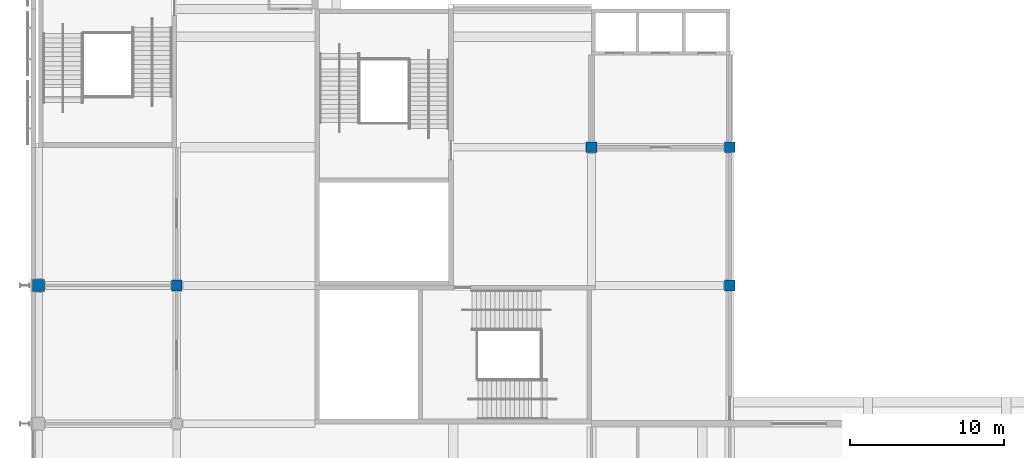
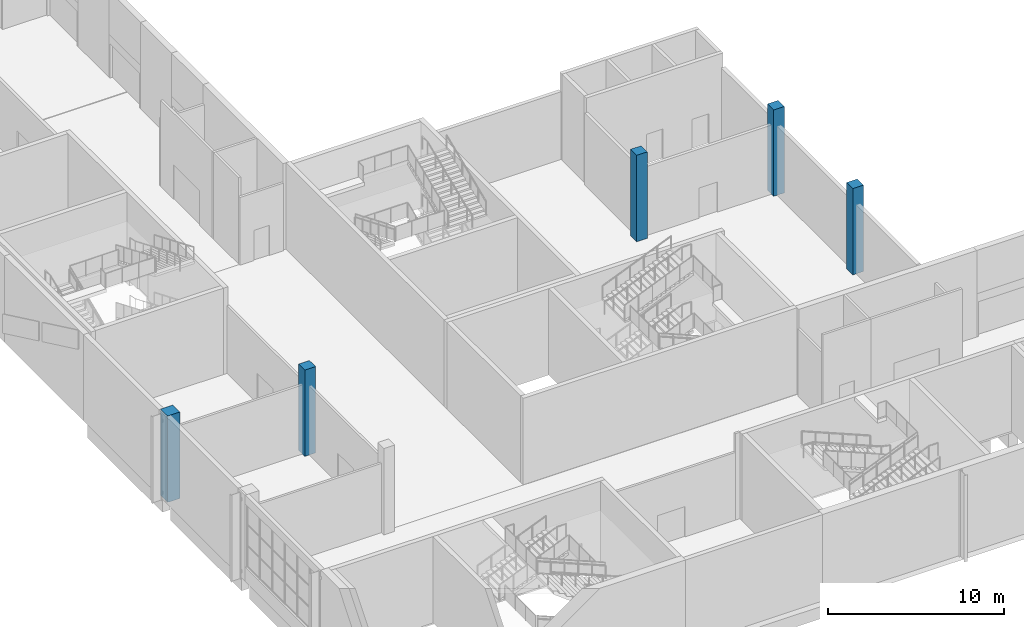
# One storey, part 3 of 89: 5 columns.
"""IFC4 building model written with IfcOpenShell, lengths in metres."""

import ifcopenshell
import ifcopenshell.guid

model = None  # the IFC model being written
_history = None  # IfcOwnerHistory: only IFC2X3 demands one
_inside = {}  # id of a spatial element -> (the spatial element, [elements in it])
_under = {}  # id of a project, library or spatial element -> (it, [spatial elements below it])
_declared = {}  # id of a project -> (the project, [libraries it declares])
_typed = {}  # id of a type object -> (the type object, [elements of that type])
_made_of = {}  # id of a material, layer set ... -> (it, [elements and type objects made of it])


def new_model(schema):
    """Start an empty IFC model of exactly this schema.

    Asked for "IFC4X3", IfcOpenShell would pick the latest addendum, in which some entities
    have other attributes; the version numbers below select the first issue.
    IFC2X3 requires an IfcOwnerHistory on every rooted entity: one is made here for all.
    """
    global model, _history
    if schema == "IFC4X3":
        model = ifcopenshell.file(schema_version=(4, 3, 0, 0))
    else:
        model = ifcopenshell.file(schema=schema)
    _inside.clear()
    _under.clear()
    _declared.clear()
    _typed.clear()
    _made_of.clear()
    _history = None
    if model.schema == "IFC2X3":
        org = make("IfcOrganization", Name="unknown")
        user = make(
            "IfcPersonAndOrganization",
            ThePerson=make("IfcPerson", FamilyName="unknown"),
            TheOrganization=org,
        )
        app = make(
            "IfcApplication",
            ApplicationDeveloper=org,
            Version="unknown",
            ApplicationFullName="unknown",
            ApplicationIdentifier="unknown",
        )
        _history = make(
            "IfcOwnerHistory",
            OwningUser=user,
            OwningApplication=app,
            ChangeAction="ADDED",
            CreationDate=0,
        )
    return model


def make(cls, **values):
    """One entity of the class cls with the attributes given. An attribute that is None is left unset."""
    return model.create_entity(
        cls, **{name: value for name, value in values.items() if value is not None}
    )


def rooted(cls, **values):
    """An entity with a GlobalId (a new one), such as an element, a storey or a relation."""
    return make(cls, GlobalId=ifcopenshell.guid.new(), OwnerHistory=_history, **values)


def si_unit(unit_type, name, prefix=None):
    """IfcSIUnit, for example si_unit("LENGTHUNIT", "METRE", prefix="MILLI")."""
    return make("IfcSIUnit", UnitType=unit_type, Prefix=prefix, Name=name)


def assignment(units):
    """IfcUnitAssignment: the units of a project."""
    return None if units is None else make("IfcUnitAssignment", Units=units)


def point(xyz):
    """IfcCartesianPoint."""
    return None if xyz is None else make("IfcCartesianPoint", Coordinates=xyz)


def direction(xyz):
    """IfcDirection."""
    return None if xyz is None else make("IfcDirection", DirectionRatios=xyz)


def frame(location, z_axis=None, x_axis=None):
    """IfcAxis2Placement3D, a coordinate frame: its origin and axes. An axis left out is left unset."""
    return make(
        "IfcAxis2Placement3D",
        Location=point(location),
        Axis=direction(z_axis),
        RefDirection=direction(x_axis),
    )


def frame_2d(location, x_axis=None):
    """IfcAxis2Placement2D, a coordinate frame in the plane: its origin and x axis."""
    return make(
        "IfcAxis2Placement2D", Location=point(location), RefDirection=direction(x_axis)
    )


def origin():
    """The frame at (0, 0, 0) with its axes left unset."""
    return frame((0.0, 0.0, 0.0))


def origin_2d():
    """The frame at (0, 0) in the plane with its x axis left unset."""
    return frame_2d((0.0, 0.0))


def place(relative_to, where):
    """IfcLocalPlacement: puts the frame where relative to a parent placement (None: the world)."""
    return make(
        "IfcLocalPlacement", PlacementRelTo=relative_to, RelativePlacement=where
    )


def context(
    kind, dimensions, precision=None, world=None, true_north=None, identifier=None
):
    """IfcGeometricRepresentationContext, for example the 3D "Model" context."""
    return make(
        "IfcGeometricRepresentationContext",
        ContextIdentifier=identifier,
        ContextType=kind,
        CoordinateSpaceDimension=dimensions,
        Precision=precision,
        WorldCoordinateSystem=world,
        TrueNorth=true_north,
    )


def subcontext(parent, identifier, kind, view, scale=None):
    """IfcGeometricRepresentationSubContext, for example "Body" below "Model"."""
    return make(
        "IfcGeometricRepresentationSubContext",
        ContextIdentifier=identifier,
        ContextType=kind,
        ParentContext=parent,
        TargetScale=scale,
        TargetView=view,
    )


def project(units=None, contexts=None):
    """IfcProject with its units and contexts."""
    return rooted(
        "IfcProject",
        Name="project",
        RepresentationContexts=contexts,
        UnitsInContext=assignment(units),
    )


def spatial(cls, under=None, at=None, **own):
    """A site, building, storey or space (cls), placed at a placement, below another one or the project."""
    s = rooted(cls, ObjectPlacement=at, **own)
    if under is not None:
        _under.setdefault(under.id(), (under, []))[1].append(s)
    return s


def profile(cls, at=None, kind="AREA", **sizes):
    """A parametric profile (cls). Its sizes go by their IFC names, for example OverallWidth=200.0."""
    return make(cls, ProfileType=kind, Position=at, **sizes)


def rectangle(**sizes):
    """IfcRectangleProfileDef."""
    return profile("IfcRectangleProfileDef", **sizes)


def extrude(swept, where, along, depth):
    """IfcExtrudedAreaSolid: the profile swept, set in the frame where, extruded along a direction by depth."""
    return make(
        "IfcExtrudedAreaSolid",
        SweptArea=swept,
        Position=where,
        ExtrudedDirection=direction(along),
        Depth=depth,
    )


def shape(context_of_items, identifier, shape_type, items):
    """IfcShapeRepresentation: the items that make up one representation, for example the "Body"."""
    return make(
        "IfcShapeRepresentation",
        ContextOfItems=context_of_items,
        RepresentationIdentifier=identifier,
        RepresentationType=shape_type,
        Items=items,
    )


def material(Name=None, Category=None):
    """IfcMaterial."""
    return make("IfcMaterial", Name=Name, Category=Category)


def material_profile(
    of_material, cross_section, Name=None, Category=None, Priority=None
):
    """IfcMaterialProfile: a cross section and its material."""
    return make(
        "IfcMaterialProfile",
        Name=Name,
        Material=of_material,
        Profile=cross_section,
        Priority=Priority,
        Category=Category,
    )


def profile_set(profiles, Name=None, composite=None):
    """IfcMaterialProfileSet."""
    return make(
        "IfcMaterialProfileSet",
        Name=Name,
        MaterialProfiles=profiles,
        CompositeProfile=composite,
    )


def made_of(thing, what):
    """Note that an element or type object is made of a material, layer set ...; save() writes the relation."""
    if what is not None:
        _made_of.setdefault(what.id(), (what, []))[1].append(thing)
    return thing


def type_object(cls, material=None, **own):
    """A type object (cls), such as IfcWallType, which elements share."""
    return made_of(rooted(cls, **own), material)


def element(
    cls,
    number,
    at=None,
    inside=None,
    cuts=None,
    type_object=None,
    material=None,
    context=None,
    identifier="Body",
    shape_type=None,
    held_by="IfcProductDefinitionShape",
    body=None,
    shapes=None,
    **own,
):
    """One element of the class cls, such as IfcWall. Its Tag is "e" and its number.

    at: its placement. inside: the storey or other place that contains it. cuts: it is an
    opening in that element (IfcRelVoidsElement). A single representation is given by context,
    identifier, shape_type and body (its items); several are given by shapes. held_by: the class
    of the entity that holds the representations. save() writes the other relations.
    """
    e = rooted(cls, Tag="e%d" % number, ObjectPlacement=at, **own)
    if body is not None:
        shapes = [shape(context, identifier, shape_type, body)]
    if shapes is not None:
        e.Representation = make(held_by, Representations=shapes)
    if inside is not None:
        _inside.setdefault(inside.id(), (inside, []))[1].append(e)
    if cuts is not None:
        rooted(
            "IfcRelVoidsElement", RelatingBuildingElement=cuts, RelatedOpeningElement=e
        )
    if type_object is not None:
        _typed.setdefault(type_object.id(), (type_object, []))[1].append(e)
    return made_of(e, material)


def aggregate(whole, parts):
    """IfcRelAggregates: a whole, such as a stair, and the parts it consists of."""
    return rooted("IfcRelAggregates", RelatingObject=whole, RelatedObjects=parts)


def save(model, path):
    """Write the relations noted so far, then the file.

    IfcRelAggregates (storeys below a building ...), IfcRelContainedInSpatialStructure (elements
    in a storey), IfcRelDefinesByType, IfcRelAssociatesMaterial and IfcRelDeclares: one each for
    every whole, place, type object, material and project.
    """
    for whole, parts in _under.values():
        aggregate(whole, parts)
    for where, things in _inside.values():
        rooted(
            "IfcRelContainedInSpatialStructure",
            RelatedElements=things,
            RelatingStructure=where,
        )
    for kind, things in _typed.values():
        rooted("IfcRelDefinesByType", RelatedObjects=things, RelatingType=kind)
    for what, things in _made_of.values():
        rooted("IfcRelAssociatesMaterial", RelatedObjects=things, RelatingMaterial=what)
    for by, libraries in _declared.values():
        rooted("IfcRelDeclares", RelatingContext=by, RelatedDefinitions=libraries)
    model.write(path)


model = new_model("IFC4")

# Units and contexts
model_context = context("Model", 3, precision=1e-05, world=origin(), true_north=direction((0.0, 1.0)))
body_context = subcontext(model_context, "Body", "Model", "MODEL_VIEW")
ifc_project = project(units=[si_unit("LENGTHUNIT", "METRE"), si_unit("AREAUNIT", "SQUARE_METRE"), si_unit("VOLUMEUNIT", "CUBIC_METRE"), si_unit("PLANEANGLEUNIT", "RADIAN"), si_unit("MASSUNIT", "GRAM", prefix="KILO")], contexts=[model_context])

# Site, building, storey
site_placement = place(None, origin())
site = spatial("IfcSite", under=ifc_project, at=site_placement, CompositionType="ELEMENT")
building_placement = place(site_placement, origin())
building = spatial("IfcBuilding", under=site, at=building_placement, Name="Silverbay Arena", CompositionType="ELEMENT")
storey_placement = place(building_placement, frame((0.0, 0.0, 22.0)))
storey = spatial("IfcBuildingStorey", under=building, at=storey_placement, Name="L03", CompositionType="ELEMENT", Elevation=22.0)

# Columns
ifc_material_1 = material(Name="Concrete Grade C45", Category="concrete")
ifc_material_profile_1 = material_profile(ifc_material_1, rectangle(XDim=0.699951171875, YDim=0.699951171875, at=origin_2d()), Name="RC 700x700")
ifc_profile_set_1 = profile_set([ifc_material_profile_1], Name="Concrete Grade C45")
column_type_1 = type_object("IfcColumnType", Name="RC column 700x700", PredefinedType="COLUMN", material=ifc_profile_set_1)
for number, where, z_axis, x_axis, name in (
    (1, (63.0, 45.0, 0.0), (0.0, 0.0, 1.0), (1.0, 0.0, 0.0), "Column 8/F L03"),
    (2, (90.0, 54.0, 0.0), (0.0, 0.0, 1.0), (1.0, 0.0, 0.0), "Column 11/G L03"),
    (3, (99.0, 45.0, 0.0), (0.0, 0.0, 1.0), (1.0, 0.0, 0.0), "Column 12/F L03"),
    (4, (99.0, 54.0, 0.0), (0.0, 0.0, 1.0), (1.0, 0.0, 0.0), "Column 12/G L03"),
):
    element("IfcColumn", number, at=place(storey_placement, frame(where, z_axis=z_axis, x_axis=x_axis)), inside=storey, type_object=column_type_1, Name=name, PredefinedType="COLUMN", context=body_context, shape_type="SweptSolid", body=[
        extrude(rectangle(XDim=0.699951171875, YDim=0.699951171875, at=origin_2d()), origin(), (0.0, 0.0, 1.0), 6.0),
    ])
ifc_material_2 = material(Name="Concrete Grade C45", Category="concrete")
ifc_material_profile_2 = material_profile(ifc_material_2, rectangle(XDim=0.800048828125, YDim=0.800048828125, at=origin_2d()), Name="RC 800x800")
ifc_profile_set_2 = profile_set([ifc_material_profile_2], Name="Concrete Grade C45")
column_type_2 = type_object("IfcColumnType", Name="RC column 800x800", PredefinedType="COLUMN", material=ifc_profile_set_2)
column_placement = place(storey_placement, frame((54.0, 45.0, 0.0), z_axis=(0.0, 0.0, 1.0), x_axis=(1.0, 0.0, 0.0)))
element("IfcColumn", 5, at=column_placement, inside=storey, type_object=column_type_2, Name="Column 7/F L03", PredefinedType="COLUMN", context=body_context, shape_type="SweptSolid", body=[
    extrude(rectangle(XDim=0.800048828125, YDim=0.800048828125, at=origin_2d()), origin(), (0.0, 0.0, 1.0), 6.0),
])

save(model, "model.ifc")
